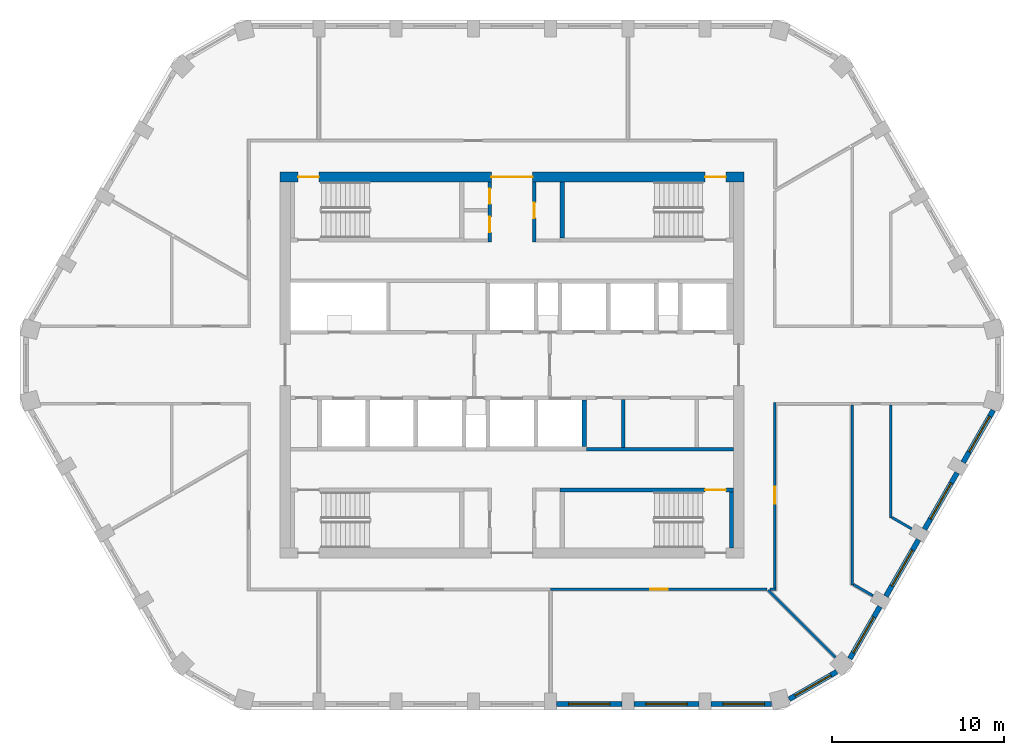
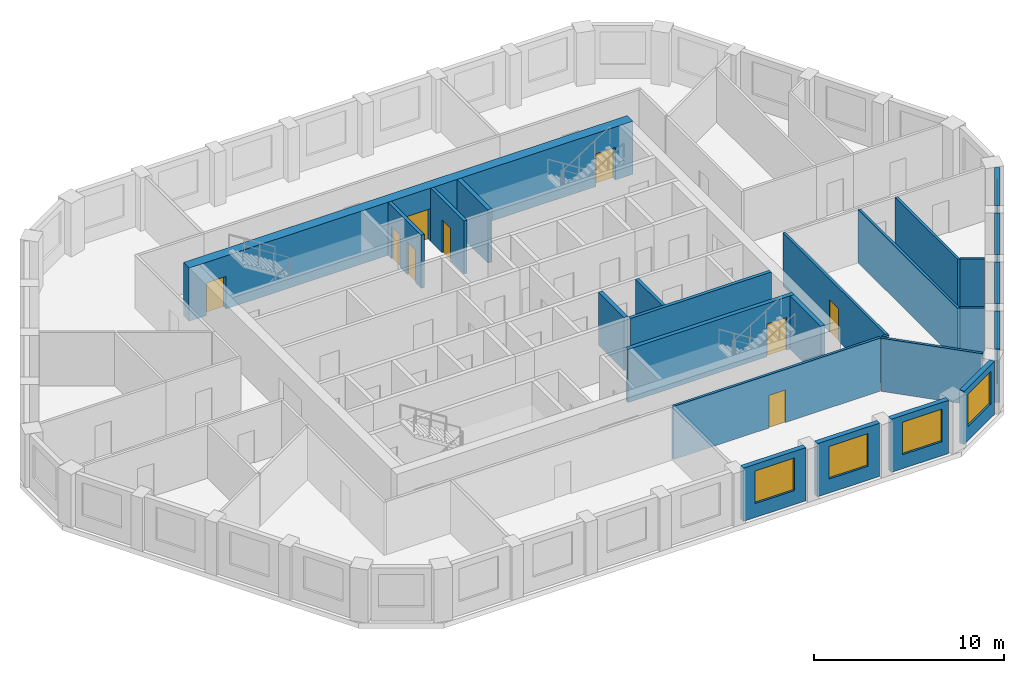
# One storey, part 4 of 11: 25 walls, 9 doors, 8 windows, 17 openings.
"""IFC4 building model written with IfcOpenShell, lengths in metres."""

from ifc_helpers import new_model, si_unit, direction, frame, frame_2d, origin, place, context, subcontext, project, spatial, polyline, rectangle, outline, extrude, material, layer, layer_set, type_object, element, fill, save


model = new_model("IFC4")

# Units and contexts
model_context = context("Model", 3, precision=1e-05, world=origin(), true_north=direction((0.0, 1.0)))
body_context = subcontext(model_context, "Body", "Model", "MODEL_VIEW")
ifc_project = project(units=[si_unit("LENGTHUNIT", "METRE"), si_unit("AREAUNIT", "SQUARE_METRE"), si_unit("VOLUMEUNIT", "CUBIC_METRE"), si_unit("PLANEANGLEUNIT", "RADIAN"), si_unit("MASSUNIT", "GRAM", prefix="KILO")], contexts=[model_context])

# Site, building, storey
site_placement = place(None, origin())
site = spatial("IfcSite", under=ifc_project, at=site_placement, CompositionType="ELEMENT")
building_placement = place(site_placement, origin())
building = spatial("IfcBuilding", under=site, at=building_placement, Name="Dhurran Vertical Campus", CompositionType="ELEMENT")
storey_placement = place(building_placement, frame((0.0, 0.0, 278.10009765625)))
storey = spatial("IfcBuildingStorey", under=building, at=storey_placement, Name="L69", CompositionType="ELEMENT", Elevation=278.10009765625)

# Wall, opening, window
ifc_material_1 = material(Name="Precast concrete C50/60", Category="concrete")
ifc_layer_1 = layer(ifc_material_1, 0.300048828125)
ifc_layer_set_1 = layer_set([ifc_layer_1], Name="Precast concrete C50/60")
wall_type_1 = type_object("IfcWallType", Name="Precast spandrel wall 300", PredefinedType="SOLIDWALL", material=ifc_layer_set_1)
wall_1_placement = place(storey_placement, frame((2.6005859375, -19.738525390625, 0.0), z_axis=(0.0, 0.0, 1.0), x_axis=(1.0, 0.0, 0.0)))
wall_1 = element("IfcWall", 1, at=wall_1_placement, inside=storey, type_object=wall_type_1, Name="EW1 L69.04", PredefinedType="SOLIDWALL", context=body_context, shape_type="SweptSolid", body=[
    extrude(rectangle(XDim=3.798828125, YDim=0.300048828125, at=frame_2d((1.8994140625, 0.0))), origin(), (0.0, 0.0, 1.0), 3.4248046875),
])
opening_1_placement = place(wall_1_placement, frame((0.699462890625, 0.0, 0.89990234375)))
opening_1 = element("IfcOpeningElement", 2, at=opening_1_placement, cuts=wall_1, Name="Opening WT1", PredefinedType="OPENING", context=body_context, shape_type="SweptSolid", body=[
    extrude(rectangle(XDim=2.39990234375, YDim=2.10009765625, at=frame_2d((1.199951171875, 1.050048828125))), frame((0.0, 0.159912109375, 0.0), z_axis=(0.0, -1.0, 0.0), x_axis=(1.0, 0.0, 0.0)), (0.0, 0.0, 1.0), 0.320068359375),
])
ifc_material_2 = material(Name="Aluminium frame with solar-control glass", Category="aluminium")
window_type = type_object("IfcWindowType", Name="Punched window 2400 x 2100", PartitioningType="SINGLE_PANEL", PredefinedType="WINDOW", material=ifc_material_2)
window_1_placement = place(opening_1_placement, origin())
window_1 = element("IfcWindow", 3, at=window_1_placement, inside=storey, type_object=window_type, Name="WT1 L69.04", OverallHeight=2.10009765625, OverallWidth=2.39990234375, PartitioningType="SINGLE_PANEL", PredefinedType="WINDOW", context=body_context, shape_type="SweptSolid", body=[
    extrude(rectangle(XDim=2.39990234375, YDim=2.10009765625, at=frame_2d((1.199951171875, 1.050048828125))), frame((0.0, 0.030029296875, 0.0), z_axis=(0.0, -1.0, 0.0), x_axis=(1.0, 0.0, 0.0)), (0.0, 0.0, 1.0), 0.06005859375),
])
fill(opening_1, window_1)

wall_2_placement = place(storey_placement, frame((7.1005859375, -19.738525390625, 0.0), z_axis=(0.0, 0.0, 1.0), x_axis=(1.0, 0.0, 0.0)))
wall_2 = element("IfcWall", 4, at=wall_2_placement, inside=storey, type_object=wall_type_1, Name="EW1 L69.05", PredefinedType="SOLIDWALL", context=body_context, shape_type="SweptSolid", body=[
    extrude(rectangle(XDim=3.798828125, YDim=0.300048828125, at=frame_2d((1.8994140625, 0.0))), origin(), (0.0, 0.0, 1.0), 3.4248046875),
])
opening_2_placement = place(wall_2_placement, frame((0.699462890625, 0.0, 0.89990234375)))
opening_2 = element("IfcOpeningElement", 5, at=opening_2_placement, cuts=wall_2, Name="Opening WT1", PredefinedType="OPENING", context=body_context, shape_type="SweptSolid", body=[
    extrude(rectangle(XDim=2.39990234375, YDim=2.10009765625, at=frame_2d((1.199951171875, 1.050048828125))), frame((0.0, 0.159912109375, 0.0), z_axis=(0.0, -1.0, 0.0), x_axis=(1.0, 0.0, 0.0)), (0.0, 0.0, 1.0), 0.320068359375),
])
window_2_placement = place(opening_2_placement, origin())
window_2 = element("IfcWindow", 6, at=window_2_placement, inside=storey, type_object=window_type, Name="WT1 L69.05", OverallHeight=2.10009765625, OverallWidth=2.39990234375, PartitioningType="SINGLE_PANEL", PredefinedType="WINDOW", context=body_context, shape_type="SweptSolid", body=[
    extrude(rectangle(XDim=2.39990234375, YDim=2.10009765625, at=frame_2d((1.199951171875, 1.050048828125))), frame((0.0, 0.030029296875, 0.0), z_axis=(0.0, -1.0, 0.0), x_axis=(1.0, 0.0, 0.0)), (0.0, 0.0, 1.0), 0.06005859375),
])
fill(opening_2, window_2)

wall_3_placement = place(storey_placement, frame((11.6005859375, -19.738525390625, 0.0), z_axis=(0.0, 0.0, 1.0), x_axis=(1.0, 0.0, 0.0)))
wall_3 = element("IfcWall", 7, at=wall_3_placement, inside=storey, type_object=wall_type_1, Name="EW1 L69.06", PredefinedType="SOLIDWALL", context=body_context, shape_type="SweptSolid", body=[
    extrude(rectangle(XDim=3.49755859375, YDim=0.300048828125, at=frame_2d((1.748779296875, 0.0))), origin(), (0.0, 0.0, 1.0), 3.4248046875),
])
opening_3_placement = place(wall_3_placement, frame((0.699462890625, 0.0, 0.89990234375)))
opening_3 = element("IfcOpeningElement", 8, at=opening_3_placement, cuts=wall_3, Name="Opening WT1", PredefinedType="OPENING", context=body_context, shape_type="SweptSolid", body=[
    extrude(rectangle(XDim=2.39990234375, YDim=2.10009765625, at=frame_2d((1.199951171875, 1.050048828125))), frame((0.0, 0.159912109375, 0.0), z_axis=(0.0, -1.0, 0.0), x_axis=(1.0, 0.0, 0.0)), (0.0, 0.0, 1.0), 0.320068359375),
])
window_3_placement = place(opening_3_placement, origin())
window_3 = element("IfcWindow", 9, at=window_3_placement, inside=storey, type_object=window_type, Name="WT1 L69.06", OverallHeight=2.10009765625, OverallWidth=2.39990234375, PartitioningType="SINGLE_PANEL", PredefinedType="WINDOW", context=body_context, shape_type="SweptSolid", body=[
    extrude(rectangle(XDim=2.39990234375, YDim=2.10009765625, at=frame_2d((1.199951171875, 1.050048828125))), frame((0.0, 0.030029296875, 0.0), z_axis=(0.0, -1.0, 0.0), x_axis=(1.0, 0.0, 0.0)), (0.0, 0.0, 1.0), 0.06005859375),
])
fill(opening_3, window_3)

wall_4_placement = place(storey_placement, frame((16.1396484375, -19.45947265625, 0.0), z_axis=(0.0, 0.0, 1.0), x_axis=(0.866025316205, 0.500000151692, 0.0)))
wall_4 = element("IfcWall", 10, at=wall_4_placement, inside=storey, type_object=wall_type_1, Name="EW1 L69.07", PredefinedType="SOLIDWALL", context=body_context, shape_type="SweptSolid", body=[
    extrude(rectangle(XDim=3.1962890625, YDim=0.300048828125, at=frame_2d((1.59814453125, 0.0))), origin(), (0.0, 0.0, 1.0), 3.4248046875),
])
opening_4_placement = place(wall_4_placement, frame((0.398193359375, 0.0, 0.89990234375)))
opening_4 = element("IfcOpeningElement", 11, at=opening_4_placement, cuts=wall_4, Name="Opening WT1", PredefinedType="OPENING", context=body_context, shape_type="SweptSolid", body=[
    extrude(rectangle(XDim=2.39990234375, YDim=2.10009765625, at=frame_2d((1.199951171875, 1.050048828125))), frame((0.0, 0.159912109375, 0.0), z_axis=(0.0, -1.0, 0.0), x_axis=(1.0, 0.0, 0.0)), (0.0, 0.0, 1.0), 0.320068359375),
])
window_4_placement = place(opening_4_placement, origin())
window_4 = element("IfcWindow", 12, at=window_4_placement, inside=storey, type_object=window_type, Name="WT1 L69.07", OverallHeight=2.10009765625, OverallWidth=2.39990234375, PartitioningType="SINGLE_PANEL", PredefinedType="WINDOW", context=body_context, shape_type="SweptSolid", body=[
    extrude(rectangle(XDim=2.39990234375, YDim=2.10009765625, at=frame_2d((1.199951171875, 1.050048828125))), frame((0.0, 0.030029296875, 0.0), z_axis=(0.0, -1.0, 0.0), x_axis=(1.0, 0.0, 0.0)), (0.0, 0.0, 1.0), 0.06005859375),
])
fill(opening_4, window_4)

wall_5_placement = place(storey_placement, frame((19.669921875, -17.09912109375, 0.0), z_axis=(0.0, 0.0, 1.0), x_axis=(0.499960102815, 0.866048437209, 0.0)))
wall_5 = element("IfcWall", 13, at=wall_5_placement, inside=storey, type_object=wall_type_1, Name="EW1 L69.08", PredefinedType="SOLIDWALL", context=body_context, shape_type="SweptSolid", body=[
    extrude(rectangle(XDim=3.497802734375, YDim=0.300048828125, at=frame_2d((1.7490234375, 0.0))), origin(), (0.0, 0.0, 1.0), 3.4248046875),
])
opening_5_placement = place(wall_5_placement, frame((0.398193359375, 0.0, 0.89990234375)))
opening_5 = element("IfcOpeningElement", 14, at=opening_5_placement, cuts=wall_5, Name="Opening WT1", PredefinedType="OPENING", context=body_context, shape_type="SweptSolid", body=[
    extrude(rectangle(XDim=2.39990234375, YDim=2.10009765625, at=frame_2d((1.199951171875, 1.050048828125))), frame((0.0, 0.159912109375, 0.0), z_axis=(0.0, -1.0, 0.0), x_axis=(1.0, 0.0, 0.0)), (0.0, 0.0, 1.0), 0.320068359375),
])
window_5_placement = place(opening_5_placement, origin())
window_5 = element("IfcWindow", 15, at=window_5_placement, inside=storey, type_object=window_type, Name="WT1 L69.08", OverallHeight=2.10009765625, OverallWidth=2.39990234375, PartitioningType="SINGLE_PANEL", PredefinedType="WINDOW", context=body_context, shape_type="SweptSolid", body=[
    extrude(rectangle(XDim=2.39990234375, YDim=2.10009765625, at=frame_2d((1.199951171875, 1.050048828125))), frame((0.0, 0.030029296875, 0.0), z_axis=(0.0, -1.0, 0.0), x_axis=(1.0, 0.0, 0.0)), (0.0, 0.0, 1.0), 0.06005859375),
])
fill(opening_5, window_5)

wall_6_placement = place(storey_placement, frame((21.769287109375, -13.462890625, 0.0), z_axis=(0.0, 0.0, 1.0), x_axis=(0.499982058975, 0.866035761792, 0.0)))
wall_6 = element("IfcWall", 16, at=wall_6_placement, inside=storey, type_object=wall_type_1, Name="EW1 L69.09", PredefinedType="SOLIDWALL", context=body_context, shape_type="SweptSolid", body=[
    extrude(rectangle(XDim=3.799072265625, YDim=0.300048828125, at=frame_2d((1.8994140625, 0.0))), origin(), (0.0, 0.0, 1.0), 3.4248046875),
])
opening_6_placement = place(wall_6_placement, frame((0.699462890625, 0.0, 0.89990234375)))
opening_6 = element("IfcOpeningElement", 17, at=opening_6_placement, cuts=wall_6, Name="Opening WT1", PredefinedType="OPENING", context=body_context, shape_type="SweptSolid", body=[
    extrude(rectangle(XDim=2.39990234375, YDim=2.10009765625, at=frame_2d((1.199951171875, 1.050048828125))), frame((0.0, 0.159912109375, 0.0), z_axis=(0.0, -1.0, 0.0), x_axis=(1.0, 0.0, 0.0)), (0.0, 0.0, 1.0), 0.320068359375),
])
window_6_placement = place(opening_6_placement, origin())
window_6 = element("IfcWindow", 18, at=window_6_placement, inside=storey, type_object=window_type, Name="WT1 L69.09", OverallHeight=2.10009765625, OverallWidth=2.39990234375, PartitioningType="SINGLE_PANEL", PredefinedType="WINDOW", context=body_context, shape_type="SweptSolid", body=[
    extrude(rectangle(XDim=2.39990234375, YDim=2.10009765625, at=frame_2d((1.199951171875, 1.050048828125))), frame((0.0, 0.030029296875, 0.0), z_axis=(0.0, -1.0, 0.0), x_axis=(1.0, 0.0, 0.0)), (0.0, 0.0, 1.0), 0.06005859375),
])
fill(opening_6, window_6)

wall_7_placement = place(storey_placement, frame((24.019287109375, -9.565673828125, 0.0), z_axis=(0.0, 0.0, 1.0), x_axis=(0.499982058975, 0.866035761792, 0.0)))
wall_7 = element("IfcWall", 19, at=wall_7_placement, inside=storey, type_object=wall_type_1, Name="EW1 L69.10", PredefinedType="SOLIDWALL", context=body_context, shape_type="SweptSolid", body=[
    extrude(rectangle(XDim=3.799072265625, YDim=0.300048828125, at=frame_2d((1.8994140625, 0.0))), origin(), (0.0, 0.0, 1.0), 3.4248046875),
])
opening_7_placement = place(wall_7_placement, frame((0.699462890625, 0.0, 0.89990234375)))
opening_7 = element("IfcOpeningElement", 20, at=opening_7_placement, cuts=wall_7, Name="Opening WT1", PredefinedType="OPENING", context=body_context, shape_type="SweptSolid", body=[
    extrude(rectangle(XDim=2.39990234375, YDim=2.10009765625, at=frame_2d((1.199951171875, 1.050048828125))), frame((0.0, 0.159912109375, 0.0), z_axis=(0.0, -1.0, 0.0), x_axis=(1.0, 0.0, 0.0)), (0.0, 0.0, 1.0), 0.320068359375),
])
window_7_placement = place(opening_7_placement, origin())
window_7 = element("IfcWindow", 21, at=window_7_placement, inside=storey, type_object=window_type, Name="WT1 L69.10", OverallHeight=2.10009765625, OverallWidth=2.39990234375, PartitioningType="SINGLE_PANEL", PredefinedType="WINDOW", context=body_context, shape_type="SweptSolid", body=[
    extrude(rectangle(XDim=2.39990234375, YDim=2.10009765625, at=frame_2d((1.199951171875, 1.050048828125))), frame((0.0, 0.030029296875, 0.0), z_axis=(0.0, -1.0, 0.0), x_axis=(1.0, 0.0, 0.0)), (0.0, 0.0, 1.0), 0.06005859375),
])
fill(opening_7, window_7)

wall_8_placement = place(storey_placement, frame((26.269287109375, -5.668701171875, 0.0), z_axis=(0.0, 0.0, 1.0), x_axis=(0.499990325971, 0.866030989016, 0.0)))
wall_8 = element("IfcWall", 22, at=wall_8_placement, inside=storey, type_object=wall_type_1, Name="EW1 L69.11", PredefinedType="SOLIDWALL", context=body_context, shape_type="SweptSolid", body=[
    extrude(rectangle(XDim=3.49755859375, YDim=0.300048828125, at=frame_2d((1.748779296875, 0.0))), origin(), (0.0, 0.0, 1.0), 3.4248046875),
])
opening_8_placement = place(wall_8_placement, frame((0.699462890625, 0.0, 0.89990234375)))
opening_8 = element("IfcOpeningElement", 23, at=opening_8_placement, cuts=wall_8, Name="Opening WT1", PredefinedType="OPENING", context=body_context, shape_type="SweptSolid", body=[
    extrude(rectangle(XDim=2.39990234375, YDim=2.10009765625, at=frame_2d((1.199951171875, 1.050048828125))), frame((0.0, 0.159912109375, 0.0), z_axis=(0.0, -1.0, 0.0), x_axis=(1.0, 0.0, 0.0)), (0.0, 0.0, 1.0), 0.320068359375),
])
window_8_placement = place(opening_8_placement, origin())
window_8 = element("IfcWindow", 24, at=window_8_placement, inside=storey, type_object=window_type, Name="WT1 L69.11", OverallHeight=2.10009765625, OverallWidth=2.39990234375, PartitioningType="SINGLE_PANEL", PredefinedType="WINDOW", context=body_context, shape_type="SweptSolid", body=[
    extrude(rectangle(XDim=2.39990234375, YDim=2.10009765625, at=frame_2d((1.199951171875, 1.050048828125))), frame((0.0, 0.030029296875, 0.0), z_axis=(0.0, -1.0, 0.0), x_axis=(1.0, 0.0, 0.0)), (0.0, 0.0, 1.0), 0.06005859375),
])
fill(opening_8, window_8)

# Wall, openings, doors
ifc_material_3 = material(Name="Concrete C50/60", Category="concrete")
ifc_layer_2 = layer(ifc_material_3, 0.60009765625)
ifc_layer_set_2 = layer_set([ifc_layer_2], Name="Concrete C50/60")
wall_type_2 = type_object("IfcWallType", Name="co-CORE-WALL-C2-600", PredefinedType="SHEAR", material=ifc_layer_set_2)
wall_9_placement = place(storey_placement, frame((-13.5, 10.949951171875, 0.0), z_axis=(0.0, 0.0, 1.0), x_axis=(1.0, 0.0, 0.0)))
wall_9 = element("IfcWall", 25, at=wall_9_placement, inside=storey, type_object=wall_type_2, Name="Core wall N L69", PredefinedType="SHEAR", context=body_context, shape_type="SweptSolid", body=[
    extrude(rectangle(XDim=27.0, YDim=0.60009765625, at=frame_2d((13.5, 0.0))), origin(), (0.0, 0.0, 1.0), 3.4248046875),
])
opening_9_placement = place(wall_9_placement, frame((12.300048828125, 0.0, 0.0)))
opening_9 = element("IfcOpeningElement", 26, at=opening_9_placement, cuts=wall_9, Name="Opening CV1", PredefinedType="OPENING", context=body_context, shape_type="SweptSolid", body=[
    extrude(rectangle(XDim=2.39990234375, YDim=2.10009765625, at=frame_2d((1.199951171875, 1.050048828125))), frame((0.0, 0.31005859375, 0.0), z_axis=(0.0, -1.0, 0.0), x_axis=(1.0, 0.0, 0.0)), (0.0, 0.0, 1.0), 0.6201171875),
])
opening_10_placement = place(wall_9_placement, frame((1.050048828125, 0.0, 0.0)))
opening_10 = element("IfcOpeningElement", 27, at=opening_10_placement, cuts=wall_9, Name="Opening XD1", PredefinedType="OPENING", context=body_context, shape_type="SweptSolid", body=[
    extrude(rectangle(XDim=1.199951171875, YDim=2.10009765625, at=frame_2d((0.60009765625, 1.050048828125))), frame((0.0, 0.31005859375, 0.0), z_axis=(0.0, -1.0, 0.0), x_axis=(1.0, 0.0, 0.0)), (0.0, 0.0, 1.0), 0.6201171875),
])
opening_11_placement = place(wall_9_placement, frame((24.75, 0.0, 0.0)))
opening_11 = element("IfcOpeningElement", 28, at=opening_11_placement, cuts=wall_9, Name="Opening XD2", PredefinedType="OPENING", context=body_context, shape_type="SweptSolid", body=[
    extrude(rectangle(XDim=1.199951171875, YDim=2.10009765625, at=frame_2d((0.60009765625, 1.050048828125))), frame((0.0, 0.31005859375, 0.0), z_axis=(0.0, -1.0, 0.0), x_axis=(1.0, 0.0, 0.0)), (0.0, 0.0, 1.0), 0.6201171875),
])
ifc_material_4 = material(Name="Fire-rated glazed door set")
door_type_1 = type_object("IfcDoorType", Name="co-D-LOBBY 2400x2100", OperationType="DOUBLE_DOOR_DOUBLE_SWING", PredefinedType="DOOR", material=ifc_material_4)
door_1_placement = place(opening_9_placement, origin())
door_1 = element("IfcDoor", 29, at=door_1_placement, inside=storey, type_object=door_type_1, Name="Core vestibule door N L69", OperationType="DOUBLE_DOOR_DOUBLE_SWING", OverallHeight=2.10009765625, OverallWidth=2.39990234375, PredefinedType="DOOR", context=body_context, shape_type="SweptSolid", body=[
    extrude(rectangle(XDim=2.39990234375, YDim=2.10009765625, at=frame_2d((1.199951171875, 1.050048828125))), frame((0.0, 0.02490234375, 0.0), z_axis=(0.0, -1.0, 0.0), x_axis=(1.0, 0.0, 0.0)), (0.0, 0.0, 1.0), 0.050048828125),
])
fill(opening_9, door_1)
ifc_material_5 = material(Name="Fire-rated steel door set", Category="steel")
door_type_2 = type_object("IfcDoorType", Name="co-D-STAIR-EXIT 1200x2100", OperationType="SINGLE_SWING_RIGHT", PredefinedType="DOOR", material=ifc_material_5)
door_2_placement = place(opening_10_placement, origin())
door_2 = element("IfcDoor", 30, at=door_2_placement, inside=storey, type_object=door_type_2, Name="Stair ST1 exit door L69", OperationType="SINGLE_SWING_RIGHT", OverallHeight=2.10009765625, OverallWidth=1.199951171875, PredefinedType="DOOR", context=body_context, shape_type="SweptSolid", body=[
    extrude(rectangle(XDim=1.199951171875, YDim=2.10009765625, at=frame_2d((0.60009765625, 1.050048828125))), frame((0.0, 0.02490234375, 0.0), z_axis=(0.0, -1.0, 0.0), x_axis=(1.0, 0.0, 0.0)), (0.0, 0.0, 1.0), 0.050048828125),
])
fill(opening_10, door_2)
door_3_placement = place(opening_11_placement, origin())
door_3 = element("IfcDoor", 31, at=door_3_placement, inside=storey, type_object=door_type_2, Name="Stair ST2 exit door L69", OperationType="SINGLE_SWING_RIGHT", OverallHeight=2.10009765625, OverallWidth=1.199951171875, PredefinedType="DOOR", context=body_context, shape_type="SweptSolid", body=[
    extrude(rectangle(XDim=1.199951171875, YDim=2.10009765625, at=frame_2d((0.60009765625, 1.050048828125))), frame((0.0, 0.02490234375, 0.0), z_axis=(0.0, -1.0, 0.0), x_axis=(1.0, 0.0, 0.0)), (0.0, 0.0, 1.0), 0.050048828125),
])
fill(opening_11, door_3)

ifc_material_6 = material(Name="Fire-rated masonry blockwork", Category="masonry")
ifc_layer_3 = layer(ifc_material_6, 0.199951171875)
ifc_layer_set_3 = layer_set([ifc_layer_3], Name="Fire-rated masonry blockwork")
wall_type_3 = type_object("IfcWallType", Name="co-FIRE-PARTITION-200", PredefinedType="PARTITIONING", material=ifc_layer_set_3)
wall_10_placement = place(storey_placement, frame((-1.300048828125, 7.14990234375, 0.0), z_axis=(0.0, 0.0, 1.0), x_axis=(0.0, 1.0, 0.0)))
wall_10 = element("IfcWall", 32, at=wall_10_placement, inside=storey, type_object=wall_type_3, Name="Core partition vest-NW L69", PredefinedType="PARTITIONING", context=body_context, shape_type="SweptSolid", body=[
    extrude(rectangle(XDim=3.5, YDim=0.199951171875, at=frame_2d((1.75, 0.0))), origin(), (0.0, 0.0, 1.0), 3.4248046875),
])
opening_12_placement = place(wall_10_placement, frame((0.574951171875, 0.0, 0.0)))
opening_12 = element("IfcOpeningElement", 33, at=opening_12_placement, cuts=wall_10, Name="Opening T20-C3", PredefinedType="OPENING", context=body_context, shape_type="SweptSolid", body=[
    extrude(rectangle(XDim=0.89990234375, YDim=2.10009765625, at=frame_2d((0.449951171875, 1.050048828125))), frame((0.0, 0.10986328125, 0.0), z_axis=(0.0, -1.0, 0.0), x_axis=(1.0, 0.0, 0.0)), (0.0, 0.0, 1.0), 0.219970703125),
])
opening_13_placement = place(wall_10_placement, frame((2.22509765625, 0.0, 0.0)))
opening_13 = element("IfcOpeningElement", 34, at=opening_13_placement, cuts=wall_10, Name="Opening T20-C4", PredefinedType="OPENING", context=body_context, shape_type="SweptSolid", body=[
    extrude(rectangle(XDim=0.89990234375, YDim=2.10009765625, at=frame_2d((0.449951171875, 1.050048828125))), frame((0.0, 0.10986328125, 0.0), z_axis=(0.0, -1.0, 0.0), x_axis=(1.0, 0.0, 0.0)), (0.0, 0.0, 1.0), 0.219970703125),
])
ifc_material_7 = material(Name="Fire-rated timber door set", Category="wood")
door_type_3 = type_object("IfcDoorType", Name="co-D-ROOM 900x2100", OperationType="SINGLE_SWING_LEFT", PredefinedType="DOOR", material=ifc_material_7)
door_4_placement = place(opening_12_placement, origin())
door_4 = element("IfcDoor", 35, at=door_4_placement, inside=storey, type_object=door_type_3, Name="Waste room door L69", OperationType="SINGLE_SWING_LEFT", OverallHeight=2.10009765625, OverallWidth=0.89990234375, PredefinedType="DOOR", context=body_context, shape_type="SweptSolid", body=[
    extrude(rectangle(XDim=0.89990234375, YDim=2.10009765625, at=frame_2d((0.449951171875, 1.050048828125))), frame((0.0, 0.02490234375, 0.0), z_axis=(0.0, -1.0, 0.0), x_axis=(1.0, 0.0, 0.0)), (0.0, 0.0, 1.0), 0.050048828125),
])
fill(opening_12, door_4)
door_5_placement = place(opening_13_placement, origin())
door_5 = element("IfcDoor", 36, at=door_5_placement, inside=storey, type_object=door_type_3, Name="Fire equipment store door L69", OperationType="SINGLE_SWING_LEFT", OverallHeight=2.10009765625, OverallWidth=0.89990234375, PredefinedType="DOOR", context=body_context, shape_type="SweptSolid", body=[
    extrude(rectangle(XDim=0.89990234375, YDim=2.10009765625, at=frame_2d((0.449951171875, 1.050048828125))), frame((0.0, 0.02490234375, 0.0), z_axis=(0.0, -1.0, 0.0), x_axis=(1.0, 0.0, 0.0)), (0.0, 0.0, 1.0), 0.050048828125),
])
fill(opening_13, door_5)

# Wall, opening, door
wall_11_placement = place(storey_placement, frame((1.300048828125, 7.14990234375, 0.0), z_axis=(0.0, 0.0, 1.0), x_axis=(0.0, 1.0, 0.0)))
wall_11 = element("IfcWall", 37, at=wall_11_placement, inside=storey, type_object=wall_type_3, Name="Core partition vest-NE L69", PredefinedType="PARTITIONING", context=body_context, shape_type="SweptSolid", body=[
    extrude(rectangle(XDim=3.5, YDim=0.199951171875, at=frame_2d((1.75, 0.0))), origin(), (0.0, 0.0, 1.0), 3.4248046875),
])
opening_14_placement = place(wall_11_placement, frame((1.39990234375, 0.0, 0.0)))
opening_14 = element("IfcOpeningElement", 38, at=opening_14_placement, cuts=wall_11, Name="Opening T20-C5", PredefinedType="OPENING", context=body_context, shape_type="SweptSolid", body=[
    extrude(rectangle(XDim=0.89990234375, YDim=2.10009765625, at=frame_2d((0.449951171875, 1.050048828125))), frame((0.0, 0.10986328125, 0.0), z_axis=(0.0, -1.0, 0.0), x_axis=(1.0, 0.0, 0.0)), (0.0, 0.0, 1.0), 0.219970703125),
])
door_6_placement = place(opening_14_placement, origin())
door_6 = element("IfcDoor", 39, at=door_6_placement, inside=storey, type_object=door_type_3, Name="Print room door L69", OperationType="SINGLE_SWING_LEFT", OverallHeight=2.10009765625, OverallWidth=0.89990234375, PredefinedType="DOOR", context=body_context, shape_type="SweptSolid", body=[
    extrude(rectangle(XDim=0.89990234375, YDim=2.10009765625, at=frame_2d((0.449951171875, 1.050048828125))), frame((0.0, 0.02490234375, 0.0), z_axis=(0.0, -1.0, 0.0), x_axis=(1.0, 0.0, 0.0)), (0.0, 0.0, 1.0), 0.050048828125),
])
fill(opening_14, door_6)

# Walls
wall_12_placement = place(storey_placement, frame((6.46875, -4.800048828125, 0.0), z_axis=(0.0, 0.0, 1.0), x_axis=(0.0, 1.0, 0.0)))
element("IfcWall", 40, at=wall_12_placement, inside=storey, type_object=wall_type_3, Name="Core partition fr-S2-cut0 L69", PredefinedType="PARTITIONING", context=body_context, shape_type="SweptSolid", body=[
    extrude(rectangle(XDim=2.800048828125, YDim=0.199951171875, at=frame_2d((1.39990234375, 0.0))), origin(), (0.0, 0.0, 1.0), 3.4248046875),
])
wall_13_placement = place(storey_placement, frame((4.324951171875, -4.89990234375, 0.0), z_axis=(0.0, 0.0, 1.0), x_axis=(1.0, 0.0, 0.0)))
element("IfcWall", 41, at=wall_13_placement, inside=storey, type_object=wall_type_3, Name="Core partition fr-S2-b L69", PredefinedType="PARTITIONING", context=body_context, shape_type="SweptSolid", body=[
    extrude(rectangle(XDim=8.574951171875, YDim=0.199951171875, at=frame_2d((4.28759765625, 0.0))), origin(), (0.0, 0.0, 1.0), 3.4248046875),
])
ifc_material_8 = material(Name="Concrete C50/60", Category="concrete")
ifc_layer_4 = layer(ifc_material_8, 0.25)
ifc_layer_set_4 = layer_set([ifc_layer_4], Name="Concrete C50/60")
wall_type_4 = type_object("IfcWallType", Name="co-SHAFT-MASS-250", PredefinedType="SHEAR", material=ifc_layer_set_4)
wall_14_placement = place(storey_placement, origin())
element("IfcWall", 42, at=wall_14_placement, inside=storey, type_object=wall_type_4, Name="Lift shaft wall S L69 9", PredefinedType="SHEAR", context=body_context, shape_type="SweptSolid", body=[
    extrude(outline(polyline([(4.074951171875, -4.75), (4.324951171875, -4.75), (4.324951171875, -2.050048828125), (4.074951171875, -2.050048828125), (4.074951171875, -4.75)])), origin(), (0.0, 0.0, 1.0), 3.4248046875),
])
ifc_material_9 = material(Name="Concrete C40/50", Category="concrete")
ifc_layer_5 = layer(ifc_material_9, 0.25)
ifc_layer_set_5 = layer_set([ifc_layer_5], Name="Concrete C40/50")
wall_type_5 = type_object("IfcWallType", Name="co-STAIR-WALL-250", PredefinedType="SHEAR", material=ifc_layer_set_5)
wall_15_placement = place(storey_placement, frame((2.925048828125, 7.39990234375, 0.0), z_axis=(0.0, 0.0, 1.0), x_axis=(0.0, 1.0, 0.0)))
element("IfcWall", 43, at=wall_15_placement, inside=storey, type_object=wall_type_5, Name="Stair ST2 enclosure wall L69", PredefinedType="SHEAR", context=body_context, shape_type="SweptSolid", body=[
    extrude(rectangle(XDim=3.25, YDim=0.25, at=frame_2d((1.625, 0.0))), origin(), (0.0, 0.0, 1.0), 3.4248046875),
])

# Wall, opening, door
wall_16_placement = place(storey_placement, frame((2.800048828125, -7.27490234375, 0.0), z_axis=(0.0, 0.0, 1.0), x_axis=(1.0, 0.0, 0.0)))
wall_16 = element("IfcWall", 44, at=wall_16_placement, inside=storey, type_object=wall_type_5, Name="Stair ST4 enclosure wall L69", PredefinedType="SHEAR", context=body_context, shape_type="SweptSolid", body=[
    extrude(rectangle(XDim=10.099853515625, YDim=0.25, at=frame_2d((5.0498046875, 0.0))), origin(), (0.0, 0.0, 1.0), 3.4248046875),
])
opening_15_placement = place(wall_16_placement, frame((8.449951171875, 0.0, 0.0)))
opening_15 = element("IfcOpeningElement", 45, at=opening_15_placement, cuts=wall_16, Name="Opening SD4", PredefinedType="OPENING", context=body_context, shape_type="SweptSolid", body=[
    extrude(rectangle(XDim=1.199951171875, YDim=2.10009765625, at=frame_2d((0.60009765625, 1.050048828125))), frame((0.0, 0.135009765625, 0.0), z_axis=(0.0, -1.0, 0.0), x_axis=(1.0, 0.0, 0.0)), (0.0, 0.0, 1.0), 0.27001953125),
])
ifc_material_10 = material(Name="Fire-rated steel door set", Category="steel")
door_type_4 = type_object("IfcDoorType", Name="co-D-STAIR 1200x2100", OperationType="SINGLE_SWING_LEFT", PredefinedType="DOOR", material=ifc_material_10)
door_7_placement = place(opening_15_placement, origin())
door_7 = element("IfcDoor", 46, at=door_7_placement, inside=storey, type_object=door_type_4, Name="Stair ST4 door L69", OperationType="SINGLE_SWING_LEFT", OverallHeight=2.10009765625, OverallWidth=1.199951171875, PredefinedType="DOOR", context=body_context, shape_type="SweptSolid", body=[
    extrude(rectangle(XDim=1.199951171875, YDim=2.10009765625, at=frame_2d((0.60009765625, 1.050048828125))), frame((0.0, 0.02490234375, 0.0), z_axis=(0.0, -1.0, 0.0), x_axis=(1.0, 0.0, 0.0)), (0.0, 0.0, 1.0), 0.050048828125),
])
fill(opening_15, door_7)

# Wall
wall_17_placement = place(storey_placement, frame((12.77490234375, -10.64990234375, 0.0), z_axis=(0.0, 0.0, 1.0), x_axis=(0.0, 1.0, 0.0)))
element("IfcWall", 47, at=wall_17_placement, inside=storey, type_object=wall_type_5, Name="Stair ST4 enclosure wall L69", PredefinedType="SHEAR", context=body_context, shape_type="SweptSolid", body=[
    extrude(rectangle(XDim=3.25, YDim=0.25, at=frame_2d((1.625, 0.0))), origin(), (0.0, 0.0, 1.0), 3.4248046875),
])

# Wall, opening, door
ifc_material_11 = material(Name="Gypsum board corridor wall on steel studs", Category="steel")
ifc_layer_6 = layer(ifc_material_11, 0.14990234375)
ifc_layer_set_6 = layer_set([ifc_layer_6], Name="Gypsum board corridor wall on steel studs")
wall_type_6 = type_object("IfcWallType", Name="fl-CW-150 corridor wall", PredefinedType="PARTITIONING", material=ifc_layer_set_6)
wall_18_placement = place(storey_placement, frame((2.25, -13.050048828125, 0.0), z_axis=(0.0, 0.0, 1.0), x_axis=(1.0, 0.0, 0.0)))
wall_18 = element("IfcWall", 48, at=wall_18_placement, inside=storey, type_object=wall_type_6, Name="Partition 69-22", PredefinedType="PARTITIONING", context=body_context, shape_type="SweptSolid", body=[
    extrude(rectangle(XDim=12.60888671875, YDim=0.14990234375, at=frame_2d((6.304443359375, 0.0))), origin(), (0.0, 0.0, 1.0), 3.4248046875),
])
opening_16_placement = place(wall_18_placement, frame((5.804443359375, 0.0, 0.0)))
opening_16 = element("IfcOpeningElement", 49, at=opening_16_placement, cuts=wall_18, Name="Opening T20.09", PredefinedType="OPENING", context=body_context, shape_type="SweptSolid", body=[
    extrude(rectangle(XDim=1.0, YDim=2.10009765625, at=frame_2d((0.5, 1.050048828125))), frame((0.0, 0.0849609375, 0.0), z_axis=(0.0, -1.0, 0.0), x_axis=(1.0, 0.0, 0.0)), (0.0, 0.0, 1.0), 0.169921875),
])
ifc_material_12 = material(Name="Solid-core timber door set, fire-rated", Category="wood")
door_type_5 = type_object("IfcDoorType", Name="fl-D-1000x2100", OperationType="SINGLE_SWING_LEFT", PredefinedType="DOOR", material=ifc_material_12)
door_8_placement = place(opening_16_placement, origin())
door_8 = element("IfcDoor", 50, at=door_8_placement, inside=storey, type_object=door_type_5, Name="Door 69.09", OperationType="SINGLE_SWING_LEFT", OverallHeight=2.10009765625, OverallWidth=1.0, PredefinedType="DOOR", context=body_context, shape_type="SweptSolid", body=[
    extrude(rectangle(XDim=1.0, YDim=2.10009765625, at=frame_2d((0.5, 1.050048828125))), frame((0.0, 0.02490234375, 0.0), z_axis=(0.0, -1.0, 0.0), x_axis=(1.0, 0.0, 0.0)), (0.0, 0.0, 1.0), 0.050048828125),
])
fill(opening_16, door_8)

# Wall
wall_19_placement = place(storey_placement, frame((15.033935546875, -13.050048828125, 0.0), z_axis=(0.0, 0.0, 1.0), x_axis=(1.0, 0.0, 0.0)))
element("IfcWall", 51, at=wall_19_placement, inside=storey, type_object=wall_type_6, Name="Partition 69-25", PredefinedType="PARTITIONING", context=body_context, shape_type="SweptSolid", body=[
    extrude(rectangle(XDim=0.341064453125, YDim=0.14990234375, at=frame_2d((0.17041015625, 0.0))), origin(), (0.0, 0.0, 1.0), 3.4248046875),
])

# Wall, opening, door
wall_20_placement = place(storey_placement, frame((15.300048828125, -12.97509765625, 0.0), z_axis=(0.0, 0.0, 1.0), x_axis=(0.0, 1.0, 0.0)))
wall_20 = element("IfcWall", 52, at=wall_20_placement, inside=storey, type_object=wall_type_6, Name="Partition 69-27", PredefinedType="PARTITIONING", context=body_context, shape_type="SweptSolid", body=[
    extrude(rectangle(XDim=10.800048828125, YDim=0.14990234375, at=frame_2d((5.39990234375, 0.0))), origin(), (0.0, 0.0, 1.0), 3.4248046875),
])
opening_17_placement = place(wall_20_placement, frame((4.89990234375, 0.0, 0.0)))
opening_17 = element("IfcOpeningElement", 53, at=opening_17_placement, cuts=wall_20, Name="Opening T20.12", PredefinedType="OPENING", context=body_context, shape_type="SweptSolid", body=[
    extrude(rectangle(XDim=1.0, YDim=2.10009765625, at=frame_2d((0.5, 1.050048828125))), frame((0.0, 0.0849609375, 0.0), z_axis=(0.0, -1.0, 0.0), x_axis=(1.0, 0.0, 0.0)), (0.0, 0.0, 1.0), 0.169921875),
])
door_9_placement = place(opening_17_placement, origin())
door_9 = element("IfcDoor", 54, at=door_9_placement, inside=storey, type_object=door_type_5, Name="Door 69.12", OperationType="SINGLE_SWING_LEFT", OverallHeight=2.10009765625, OverallWidth=1.0, PredefinedType="DOOR", context=body_context, shape_type="SweptSolid", body=[
    extrude(rectangle(XDim=1.0, YDim=2.10009765625, at=frame_2d((0.5, 1.050048828125))), frame((0.0, 0.02490234375, 0.0), z_axis=(0.0, -1.0, 0.0), x_axis=(1.0, 0.0, 0.0)), (0.0, 0.0, 1.0), 0.050048828125),
])
fill(opening_17, door_9)

# Walls
ifc_material_13 = material(Name="Gypsum board partition on steel studs", Category="steel")
ifc_layer_7 = layer(ifc_material_13, 0.14990234375)
ifc_layer_set_7 = layer_set([ifc_layer_7], Name="Gypsum board partition on steel studs")
wall_type_7 = type_object("IfcWallType", Name="fl-PW-150 fixed partition", PredefinedType="PARTITIONING", material=ifc_layer_set_7)
wall_21_placement = place(storey_placement, frame((14.912109375, -13.10302734375, 0.0), z_axis=(0.0, 0.0, 1.0), x_axis=(0.707018679171, -0.707194872226, 0.0)))
element("IfcWall", 55, at=wall_21_placement, inside=storey, type_object=wall_type_7, Name="Partition 69-26", PredefinedType="PARTITIONING", context=body_context, shape_type="SweptSolid", body=[
    extrude(rectangle(XDim=5.54248046875, YDim=0.14990234375, at=frame_2d((2.771240234375, 0.0))), origin(), (0.0, 0.0, 1.0), 3.4248046875),
])
wall_22_placement = place(storey_placement, frame((19.800048828125, -2.324951171875, 0.0), z_axis=(0.0, 0.0, 1.0), x_axis=(0.0, -1.0, 0.0)))
element("IfcWall", 56, at=wall_22_placement, inside=storey, type_object=wall_type_7, Name="Partition 69-33", PredefinedType="PARTITIONING", context=body_context, shape_type="SweptSolid", body=[
    extrude(rectangle(XDim=10.48095703125, YDim=0.14990234375, at=frame_2d((5.240478515625, 0.0))), origin(), (0.0, 0.0, 1.0), 3.4248046875),
])
wall_23_placement = place(storey_placement, frame((19.88671875, -12.781005859375, 0.0), z_axis=(0.0, 0.0, 1.0), x_axis=(0.866110606688, -0.499852395195, 0.0)))
element("IfcWall", 57, at=wall_23_placement, inside=storey, type_object=wall_type_7, Name="Partition 69-34", PredefinedType="PARTITIONING", context=body_context, shape_type="SweptSolid", body=[
    extrude(rectangle(XDim=1.30126953125, YDim=0.14990234375, at=frame_2d((0.650634765625, 0.0))), origin(), (0.0, 0.0, 1.0), 3.4248046875),
])
wall_24_placement = place(storey_placement, frame((22.050048828125, -2.324951171875, 0.0), z_axis=(0.0, 0.0, 1.0), x_axis=(0.0, -1.0, 0.0)))
element("IfcWall", 58, at=wall_24_placement, inside=storey, type_object=wall_type_7, Name="Partition 69-39", PredefinedType="PARTITIONING", context=body_context, shape_type="SweptSolid", body=[
    extrude(rectangle(XDim=6.5830078125, YDim=0.14990234375, at=frame_2d((3.29150390625, 0.0))), origin(), (0.0, 0.0, 1.0), 3.4248046875),
])
wall_25_placement = place(storey_placement, frame((22.136474609375, -8.883056640625, 0.0), z_axis=(0.0, 0.0, 1.0), x_axis=(0.865960725898, -0.500112008656, 0.0)))
element("IfcWall", 59, at=wall_25_placement, inside=storey, type_object=wall_type_7, Name="Partition 69-40", PredefinedType="PARTITIONING", context=body_context, shape_type="SweptSolid", body=[
    extrude(rectangle(XDim=1.302001953125, YDim=0.14990234375, at=frame_2d((0.65087890625, 0.0))), origin(), (0.0, 0.0, 1.0), 3.4248046875),
])

save(model, "model.ifc")
